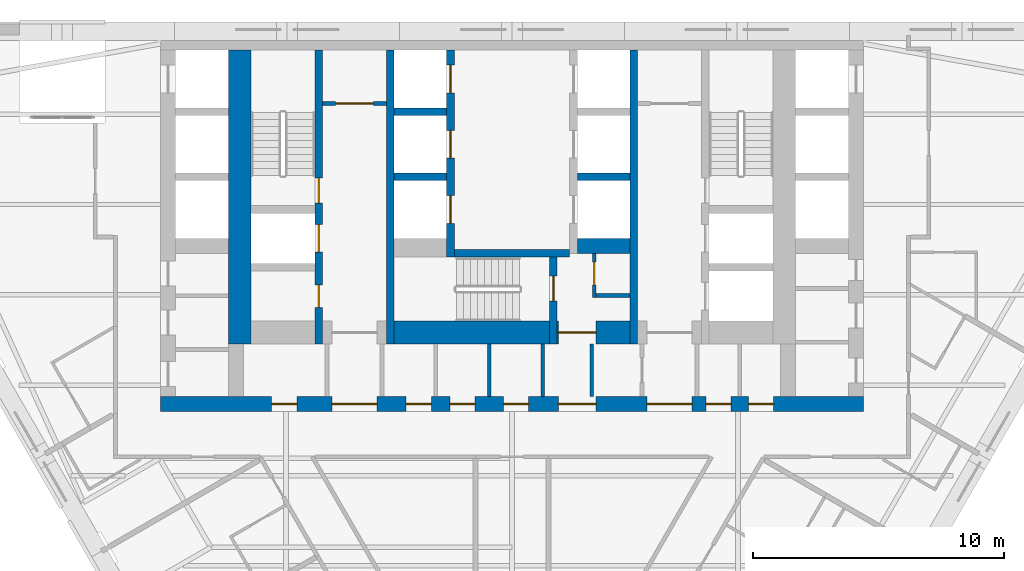
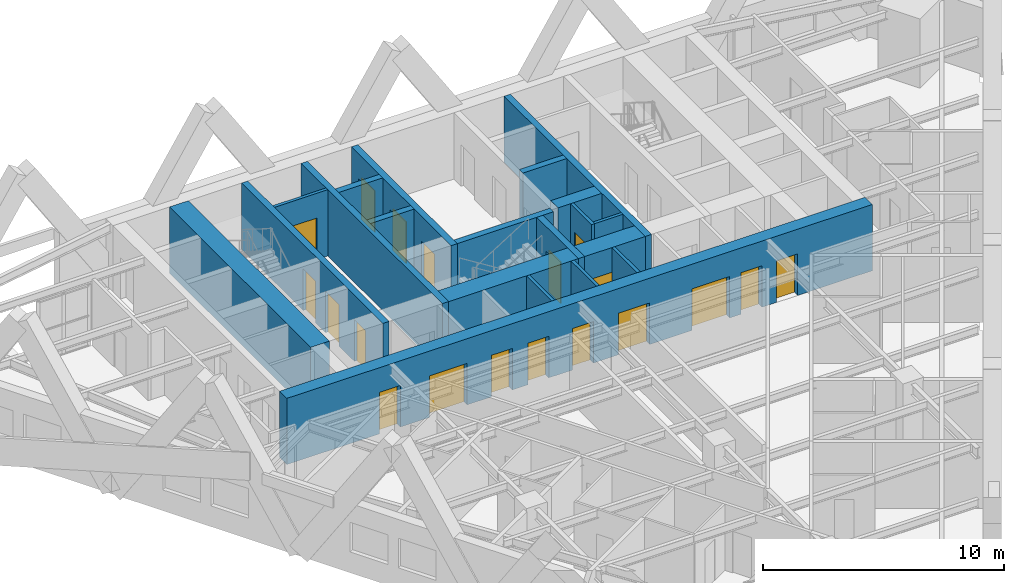
# One storey, part 7 of 11: 20 walls, 19 doors, 19 openings.
"""IFC4 building model written with IfcOpenShell, lengths in metres."""

from ifc_helpers import new_model, si_unit, direction, frame, frame_2d, origin, place, context, subcontext, project, spatial, rectangle, extrude, material, layer, layer_set, type_object, element, fill, save


model = new_model("IFC4")

# Units and contexts
model_context = context("Model", 3, precision=1e-05, world=origin(), true_north=direction((0.0, 1.0)))
body_context = subcontext(model_context, "Body", "Model", "MODEL_VIEW")
ifc_project = project(units=[si_unit("LENGTHUNIT", "METRE"), si_unit("AREAUNIT", "SQUARE_METRE"), si_unit("VOLUMEUNIT", "CUBIC_METRE"), si_unit("PLANEANGLEUNIT", "RADIAN"), si_unit("MASSUNIT", "GRAM", prefix="KILO")], contexts=[model_context])

# Site, building, storey
site_placement = place(None, origin())
site = spatial("IfcSite", under=ifc_project, at=site_placement, CompositionType="ELEMENT")
building_placement = place(site_placement, origin())
building = spatial("IfcBuilding", under=site, at=building_placement, Name="Aloe Facet Convention Tower", CompositionType="ELEMENT")
storey_placement = place(building_placement, frame((0.0, 0.0, 49.0)))
storey = spatial("IfcBuildingStorey", under=building, at=storey_placement, Name="L10", CompositionType="ELEMENT", Elevation=49.0)

# Wall, opening, door
ifc_material_1 = material(Name="Concrete blockwork partition", Category="masonry")
ifc_layer_1 = layer(ifc_material_1, 0.14990234375)
ifc_layer_set_1 = layer_set([ifc_layer_1], Name="CR-W-PART150")
wall_type_1 = type_object("IfcWallType", Name="CR-W-PART150", PredefinedType="PARTITIONING", material=ifc_layer_set_1)
wall_1_placement = place(storey_placement, frame((72.449951171875, 131.824951171875, 0.0), z_axis=(0.0, 0.0, 1.0), x_axis=(1.0, 0.0, 0.0)))
wall_1 = element("IfcWall", 1, at=wall_1_placement, inside=storey, type_object=wall_type_1, Name="Core partition L10-015", PredefinedType="PARTITIONING", context=body_context, shape_type="SweptSolid", body=[
    extrude(rectangle(XDim=2.550048828125, YDim=0.14990234375, at=frame_2d((1.27490234375, 0.0))), origin(), (0.0, 0.0, 1.0), 3.35009765625),
])
opening_1_placement = place(wall_1_placement, frame((0.52490234375, 0.0, 0.0)))
opening_1 = element("IfcOpeningElement", 2, at=opening_1_placement, cuts=wall_1, Name="Opening L10-CD22", PredefinedType="OPENING", context=body_context, shape_type="SweptSolid", body=[
    extrude(rectangle(XDim=1.5, YDim=2.10009765625, at=frame_2d((0.75, 1.050048828125))), frame((0.0, 0.0849609375, 0.0), z_axis=(0.0, -1.0, 0.0), x_axis=(1.0, 0.0, 0.0)), (0.0, 0.0, 1.0), 0.169921875),
])
ifc_material_2 = material(Name="Steel fire-resisting door set FD60", Category="steel")
door_type_1 = type_object("IfcDoorType", Name="CR-D-REFUGE-1500-FD60-DD", OperationType="DOUBLE_DOOR_DOUBLE_SWING", PredefinedType="DOOR", material=ifc_material_2)
door_1_placement = place(opening_1_placement, origin())
door_1 = element("IfcDoor", 3, at=door_1_placement, inside=storey, type_object=door_type_1, Name="Core door L10-CD22", OperationType="DOUBLE_DOOR_DOUBLE_SWING", OverallHeight=2.10009765625, OverallWidth=1.5, PredefinedType="DOOR", context=body_context, shape_type="SweptSolid", body=[
    extrude(rectangle(XDim=1.5, YDim=2.10009765625, at=frame_2d((0.75, 1.050048828125))), frame((0.0, 0.02490234375, 0.0), z_axis=(0.0, -1.0, 0.0), x_axis=(1.0, 0.0, 0.0)), (0.0, 0.0, 1.0), 0.050048828125),
])
fill(opening_1, door_1)

# Walls
for number, where, z_axis, x_axis, name in (
    (4, (79.091552734375, 122.25, 0.0), (0.0, 0.0, 1.0), (0.0, -1.0, 0.0), "Core partition L10-027"),
    (5, (81.22509765625, 122.25, 0.0), (0.0, 0.0, 1.0), (0.0, -1.0, 0.0), "Core partition L10-028"),
    (6, (83.175048828125, 122.25, 0.0), (0.0, 0.0, 1.0), (0.0, -1.0, 0.0), "Core partition L10-035"),
):
    element("IfcWall", number, at=place(storey_placement, frame(where, z_axis=z_axis, x_axis=x_axis)), inside=storey, type_object=wall_type_1, Name=name, PredefinedType="PARTITIONING", context=body_context, shape_type="SweptSolid", body=[
        extrude(rectangle(XDim=2.10009765625, YDim=0.14990234375, at=frame_2d((1.050048828125, 0.0))), origin(), (0.0, 0.0, 1.0), 3.35009765625),
    ])

# Wall, opening, door
wall_2_placement = place(storey_placement, frame((83.27490234375, 125.85009765625, 0.0), z_axis=(0.0, 0.0, 1.0), x_axis=(0.0, -1.0, 0.0)))
wall_2 = element("IfcWall", 7, at=wall_2_placement, inside=storey, type_object=wall_type_1, Name="Core partition L10-036", PredefinedType="PARTITIONING", context=body_context, shape_type="SweptSolid", body=[
    extrude(rectangle(XDim=1.75, YDim=0.14990234375, at=frame_2d((0.875, 0.0))), origin(), (0.0, 0.0, 1.0), 3.35009765625),
])
opening_2_placement = place(wall_2_placement, frame((0.35009765625, 0.0, 0.0)))
opening_2 = element("IfcOpeningElement", 8, at=opening_2_placement, cuts=wall_2, Name="Opening L10-CD20", PredefinedType="OPENING", context=body_context, shape_type="SweptSolid", body=[
    extrude(rectangle(XDim=0.89990234375, YDim=2.10009765625, at=frame_2d((0.449951171875, 1.050048828125))), frame((0.0, 0.0849609375, 0.0), z_axis=(0.0, -1.0, 0.0), x_axis=(1.0, 0.0, 0.0)), (0.0, 0.0, 1.0), 0.169921875),
])
ifc_material_3 = material(Name="Steel fire-resisting door set FD60", Category="steel")
door_type_2 = type_object("IfcDoorType", Name="CR-D-REFUGE-900-FD60-SRIGHT", OperationType="SINGLE_SWING_RIGHT", PredefinedType="DOOR", material=ifc_material_3)
door_2_placement = place(opening_2_placement, origin())
door_2 = element("IfcDoor", 9, at=door_2_placement, inside=storey, type_object=door_type_2, Name="Core door L10-CD20", OperationType="SINGLE_SWING_RIGHT", OverallHeight=2.10009765625, OverallWidth=0.89990234375, PredefinedType="DOOR", context=body_context, shape_type="SweptSolid", body=[
    extrude(rectangle(XDim=0.89990234375, YDim=2.10009765625, at=frame_2d((0.449951171875, 1.050048828125))), frame((0.0, 0.02490234375, 0.0), z_axis=(0.0, -1.0, 0.0), x_axis=(1.0, 0.0, 0.0)), (0.0, 0.0, 1.0), 0.050048828125),
])
fill(opening_2, door_2)

# Wall
wall_3_placement = place(storey_placement, frame((83.35009765625, 124.175048828125, 0.0), z_axis=(0.0, 0.0, 1.0), x_axis=(1.0, 0.0, 0.0)))
element("IfcWall", 10, at=wall_3_placement, inside=storey, type_object=wall_type_1, Name="Core partition L10-037", PredefinedType="PARTITIONING", context=body_context, shape_type="SweptSolid", body=[
    extrude(rectangle(XDim=1.349853515625, YDim=0.14990234375, at=frame_2d((0.6748046875, 0.0))), origin(), (0.0, 0.0, 1.0), 3.35009765625),
])

# Wall, openings, doors
ifc_material_4 = material(Name="Concrete C80/95", Category="concrete")
ifc_layer_2 = layer(ifc_material_4, 0.300048828125)
ifc_layer_set_2 = layer_set([ifc_layer_2], Name="CR-W-RC300-C8095")
wall_type_2 = type_object("IfcWallType", Name="CR-W-RC300-C8095", PredefinedType="SOLIDWALL", material=ifc_layer_set_2)
wall_4_placement = place(storey_placement, frame((72.300048828125, 133.949951171875, 0.0), z_axis=(0.0, 0.0, 1.0), x_axis=(0.0, -1.0, 0.0)))
wall_4 = element("IfcWall", 11, at=wall_4_placement, inside=storey, type_object=wall_type_2, Name="Core wall L10-014", PredefinedType="SOLIDWALL", context=body_context, shape_type="SweptSolid", body=[
    extrude(rectangle(XDim=11.699951171875, YDim=0.300048828125, at=frame_2d((5.85009765625, 0.0))), origin(), (0.0, 0.0, 1.0), 3.35009765625),
])
opening_3_placement = place(wall_4_placement, frame((6.949951171875, 0.0, 0.0)))
opening_3 = element("IfcOpeningElement", 12, at=opening_3_placement, cuts=wall_4, Name="Opening LD-FF1-L10", PredefinedType="OPENING", context=body_context, shape_type="SweptSolid", body=[
    extrude(rectangle(XDim=1.10009765625, YDim=2.10009765625, at=frame_2d((0.550048828125, 1.050048828125))), frame((0.0, 0.16015625, 0.0), z_axis=(0.0, -1.0, 0.0), x_axis=(1.0, 0.0, 0.0)), (0.0, 0.0, 1.0), 0.320068359375),
])
opening_4_placement = place(wall_4_placement, frame((9.35009765625, 0.0, 0.0)))
opening_4 = element("IfcOpeningElement", 13, at=opening_4_placement, cuts=wall_4, Name="Opening L10-CD23", PredefinedType="OPENING", context=body_context, shape_type="SweptSolid", body=[
    extrude(rectangle(XDim=0.89990234375, YDim=2.10009765625, at=frame_2d((0.449951171875, 1.050048828125))), frame((0.0, 0.16015625, 0.0), z_axis=(0.0, -1.0, 0.0), x_axis=(1.0, 0.0, 0.0)), (0.0, 0.0, 1.0), 0.320068359375),
])
opening_5_placement = place(wall_4_placement, frame((5.10009765625, 0.0, 0.0)))
opening_5 = element("IfcOpeningElement", 14, at=opening_5_placement, cuts=wall_4, Name="Opening L10-CD31", PredefinedType="OPENING", context=body_context, shape_type="SweptSolid", body=[
    extrude(rectangle(XDim=1.0, YDim=2.10009765625, at=frame_2d((0.5, 1.050048828125))), frame((0.0, 0.16015625, 0.0), z_axis=(0.0, -1.0, 0.0), x_axis=(1.0, 0.0, 0.0)), (0.0, 0.0, 1.0), 0.320068359375),
])
ifc_material_5 = material(Name="Steel fire-resisting door set FD60", Category="steel")
door_type_3 = type_object("IfcDoorType", Name="CR-D-ROOM-900-FD60-SLEFT", OperationType="SINGLE_SWING_LEFT", PredefinedType="DOOR", material=ifc_material_5)
door_3_placement = place(opening_4_placement, origin())
door_3 = element("IfcDoor", 15, at=door_3_placement, inside=storey, type_object=door_type_3, Name="Core door L10-CD23", OperationType="SINGLE_SWING_LEFT", OverallHeight=2.10009765625, OverallWidth=0.89990234375, PredefinedType="DOOR", context=body_context, shape_type="SweptSolid", body=[
    extrude(rectangle(XDim=0.89990234375, YDim=2.10009765625, at=frame_2d((0.449951171875, 1.050048828125))), frame((0.0, 0.02490234375, 0.0), z_axis=(0.0, -1.0, 0.0), x_axis=(1.0, 0.0, 0.0)), (0.0, 0.0, 1.0), 0.050048828125),
])
fill(opening_4, door_3)
ifc_material_6 = material(Name="Steel fire-resisting door set FD120", Category="steel")
door_type_4 = type_object("IfcDoorType", Name="CR-D-STAIR-1000-FD120-SRIGHT", OperationType="SINGLE_SWING_RIGHT", PredefinedType="DOOR", material=ifc_material_6)
door_4_placement = place(opening_5_placement, origin())
door_4 = element("IfcDoor", 16, at=door_4_placement, inside=storey, type_object=door_type_4, Name="Core door L10-CD31", OperationType="SINGLE_SWING_RIGHT", OverallHeight=2.10009765625, OverallWidth=1.0, PredefinedType="DOOR", context=body_context, shape_type="SweptSolid", body=[
    extrude(rectangle(XDim=1.0, YDim=2.10009765625, at=frame_2d((0.5, 1.050048828125))), frame((0.0, 0.02490234375, 0.0), z_axis=(0.0, -1.0, 0.0), x_axis=(1.0, 0.0, 0.0)), (0.0, 0.0, 1.0), 0.050048828125),
])
fill(opening_5, door_4)
ifc_material_7 = material(Name="Stainless steel sliding landing door", Category="steel")
door_type_5 = type_object("IfcDoorType", Name="CR-LD-1100-FD120-_LEFT", OperationType="SLIDING_TO_LEFT", PredefinedType="DOOR", material=ifc_material_7)
door_5_placement = place(opening_3_placement, origin())
door_5 = element("IfcDoor", 17, at=door_5_placement, inside=storey, type_object=door_type_5, Name="Landing door FF1 L10", OperationType="SLIDING_TO_LEFT", OverallHeight=2.10009765625, OverallWidth=1.10009765625, PredefinedType="DOOR", context=body_context, shape_type="SweptSolid", body=[
    extrude(rectangle(XDim=1.10009765625, YDim=2.10009765625, at=frame_2d((0.550048828125, 1.050048828125))), frame((0.0, 0.02490234375, 0.0), z_axis=(0.0, -1.0, 0.0), x_axis=(1.0, 0.0, 0.0)), (0.0, 0.0, 1.0), 0.050048828125),
])
fill(opening_3, door_5)

# Walls
wall_5_placement = place(storey_placement, frame((75.14990234375, 133.949951171875, 0.0), z_axis=(0.0, 0.0, 1.0), x_axis=(0.0, -1.0, 0.0)))
element("IfcWall", 18, at=wall_5_placement, inside=storey, type_object=wall_type_2, Name="Core wall L10-019", PredefinedType="SOLIDWALL", context=body_context, shape_type="SweptSolid", body=[
    extrude(rectangle(XDim=11.699951171875, YDim=0.300048828125, at=frame_2d((5.85009765625, 0.0))), origin(), (0.0, 0.0, 1.0), 3.35009765625),
])
for number, where, z_axis, x_axis, name in (
    (19, (75.300048828125, 131.5, 0.0), (0.0, 0.0, 1.0), (1.0, 0.0, 0.0), "Core wall L10-020"),
    (20, (75.300048828125, 128.89990234375, 0.0), (0.0, 0.0, 1.0), (1.0, 0.0, 0.0), "Core wall L10-021"),
):
    element("IfcWall", number, at=place(storey_placement, frame(where, z_axis=z_axis, x_axis=x_axis)), inside=storey, type_object=wall_type_2, Name=name, PredefinedType="SOLIDWALL", context=body_context, shape_type="SweptSolid", body=[
        extrude(rectangle(XDim=2.099853515625, YDim=0.300048828125, at=frame_2d((1.0498046875, 0.0))), origin(), (0.0, 0.0, 1.0), 3.35009765625),
    ])

# Wall, openings, doors
wall_6_placement = place(storey_placement, frame((77.550048828125, 133.949951171875, 0.0), z_axis=(0.0, 0.0, 1.0), x_axis=(0.0, -1.0, 0.0)))
wall_6 = element("IfcWall", 21, at=wall_6_placement, inside=storey, type_object=wall_type_2, Name="Core wall L10-025", PredefinedType="SOLIDWALL", context=body_context, shape_type="SweptSolid", body=[
    extrude(rectangle(XDim=8.25, YDim=0.300048828125, at=frame_2d((4.125, 0.0))), origin(), (0.0, 0.0, 1.0), 3.35009765625),
])
opening_6_placement = place(wall_6_placement, frame((0.60009765625, 0.0, 0.0)))
opening_6 = element("IfcOpeningElement", 22, at=opening_6_placement, cuts=wall_6, Name="Opening LD-A1-L10", PredefinedType="OPENING", context=body_context, shape_type="SweptSolid", body=[
    extrude(rectangle(XDim=1.10009765625, YDim=2.10009765625, at=frame_2d((0.550048828125, 1.050048828125))), frame((0.0, 0.16015625, 0.0), z_axis=(0.0, -1.0, 0.0), x_axis=(1.0, 0.0, 0.0)), (0.0, 0.0, 1.0), 0.320068359375),
])
opening_7_placement = place(wall_6_placement, frame((3.199951171875, 0.0, 0.0)))
opening_7 = element("IfcOpeningElement", 23, at=opening_7_placement, cuts=wall_6, Name="Opening LD-A2-L10", PredefinedType="OPENING", context=body_context, shape_type="SweptSolid", body=[
    extrude(rectangle(XDim=1.10009765625, YDim=2.10009765625, at=frame_2d((0.550048828125, 1.050048828125))), frame((0.0, 0.16015625, 0.0), z_axis=(0.0, -1.0, 0.0), x_axis=(1.0, 0.0, 0.0)), (0.0, 0.0, 1.0), 0.320068359375),
])
opening_8_placement = place(wall_6_placement, frame((5.800048828125, 0.0, 0.0)))
opening_8 = element("IfcOpeningElement", 24, at=opening_8_placement, cuts=wall_6, Name="Opening LD-A3-L10", PredefinedType="OPENING", context=body_context, shape_type="SweptSolid", body=[
    extrude(rectangle(XDim=1.10009765625, YDim=2.10009765625, at=frame_2d((0.550048828125, 1.050048828125))), frame((0.0, 0.16015625, 0.0), z_axis=(0.0, -1.0, 0.0), x_axis=(1.0, 0.0, 0.0)), (0.0, 0.0, 1.0), 0.320068359375),
])
ifc_material_8 = material(Name="Stainless steel sliding landing door", Category="steel")
door_type_6 = type_object("IfcDoorType", Name="CR-LD-1100-FD60-RIGHT", OperationType="SLIDING_TO_RIGHT", PredefinedType="DOOR", material=ifc_material_8)
door_6_placement = place(opening_6_placement, origin())
door_6 = element("IfcDoor", 25, at=door_6_placement, inside=storey, type_object=door_type_6, Name="Landing door A1 L10", OperationType="SLIDING_TO_RIGHT", OverallHeight=2.10009765625, OverallWidth=1.10009765625, PredefinedType="DOOR", context=body_context, shape_type="SweptSolid", body=[
    extrude(rectangle(XDim=1.10009765625, YDim=2.10009765625, at=frame_2d((0.550048828125, 1.050048828125))), frame((0.0, 0.02490234375, 0.0), z_axis=(0.0, -1.0, 0.0), x_axis=(1.0, 0.0, 0.0)), (0.0, 0.0, 1.0), 0.050048828125),
])
fill(opening_6, door_6)
door_7_placement = place(opening_7_placement, origin())
door_7 = element("IfcDoor", 26, at=door_7_placement, inside=storey, type_object=door_type_6, Name="Landing door A2 L10", OperationType="SLIDING_TO_RIGHT", OverallHeight=2.10009765625, OverallWidth=1.10009765625, PredefinedType="DOOR", context=body_context, shape_type="SweptSolid", body=[
    extrude(rectangle(XDim=1.10009765625, YDim=2.10009765625, at=frame_2d((0.550048828125, 1.050048828125))), frame((0.0, 0.02490234375, 0.0), z_axis=(0.0, -1.0, 0.0), x_axis=(1.0, 0.0, 0.0)), (0.0, 0.0, 1.0), 0.050048828125),
])
fill(opening_7, door_7)
door_8_placement = place(opening_8_placement, origin())
door_8 = element("IfcDoor", 27, at=door_8_placement, inside=storey, type_object=door_type_6, Name="Landing door A3 L10", OperationType="SLIDING_TO_RIGHT", OverallHeight=2.10009765625, OverallWidth=1.10009765625, PredefinedType="DOOR", context=body_context, shape_type="SweptSolid", body=[
    extrude(rectangle(XDim=1.10009765625, YDim=2.10009765625, at=frame_2d((0.550048828125, 1.050048828125))), frame((0.0, 0.02490234375, 0.0), z_axis=(0.0, -1.0, 0.0), x_axis=(1.0, 0.0, 0.0)), (0.0, 0.0, 1.0), 0.050048828125),
])
fill(opening_8, door_8)

# Wall
wall_7_placement = place(storey_placement, frame((77.699951171875, 125.85009765625, 0.0), z_axis=(0.0, 0.0, 1.0), x_axis=(1.0, 0.0, 0.0)))
element("IfcWall", 28, at=wall_7_placement, inside=storey, type_object=wall_type_2, Name="Core wall L10-026", PredefinedType="SOLIDWALL", context=body_context, shape_type="SweptSolid", body=[
    extrude(rectangle(XDim=4.60009765625, YDim=0.300048828125, at=frame_2d((2.300048828125, 0.0))), origin(), (0.0, 0.0, 1.0), 3.35009765625),
])

# Wall, opening, door
wall_8_placement = place(storey_placement, frame((81.64990234375, 125.699951171875, 0.0), z_axis=(0.0, 0.0, 1.0), x_axis=(0.0, -1.0, 0.0)))
wall_8 = element("IfcWall", 29, at=wall_8_placement, inside=storey, type_object=wall_type_2, Name="Core wall L10-029", PredefinedType="SOLIDWALL", context=body_context, shape_type="SweptSolid", body=[
    extrude(rectangle(XDim=3.449951171875, YDim=0.300048828125, at=frame_2d((1.72509765625, 0.0))), origin(), (0.0, 0.0, 1.0), 3.35009765625),
])
opening_9_placement = place(wall_8_placement, frame((0.75, 0.0, 0.0)))
opening_9 = element("IfcOpeningElement", 30, at=opening_9_placement, cuts=wall_8, Name="Opening L10-CD33", PredefinedType="OPENING", context=body_context, shape_type="SweptSolid", body=[
    extrude(rectangle(XDim=1.0, YDim=2.10009765625, at=frame_2d((0.5, 1.050048828125))), frame((0.0, 0.16015625, 0.0), z_axis=(0.0, -1.0, 0.0), x_axis=(1.0, 0.0, 0.0)), (0.0, 0.0, 1.0), 0.320068359375),
])
ifc_material_9 = material(Name="Steel fire-resisting door set FD120", Category="steel")
door_type_7 = type_object("IfcDoorType", Name="CR-D-STAIR-1000-FD120-SLEFT", OperationType="SINGLE_SWING_LEFT", PredefinedType="DOOR", material=ifc_material_9)
door_9_placement = place(opening_9_placement, origin())
door_9 = element("IfcDoor", 31, at=door_9_placement, inside=storey, type_object=door_type_7, Name="Core door L10-CD33", OperationType="SINGLE_SWING_LEFT", OverallHeight=2.10009765625, OverallWidth=1.0, PredefinedType="DOOR", context=body_context, shape_type="SweptSolid", body=[
    extrude(rectangle(XDim=1.0, YDim=2.10009765625, at=frame_2d((0.5, 1.050048828125))), frame((0.0, 0.02490234375, 0.0), z_axis=(0.0, -1.0, 0.0), x_axis=(1.0, 0.0, 0.0)), (0.0, 0.0, 1.0), 0.050048828125),
])
fill(opening_9, door_9)

# Walls
wall_9_placement = place(storey_placement, frame((82.60009765625, 128.89990234375, 0.0), z_axis=(0.0, 0.0, 1.0), x_axis=(1.0, 0.0, 0.0)))
element("IfcWall", 32, at=wall_9_placement, inside=storey, type_object=wall_type_2, Name="Core wall L10-033", PredefinedType="SOLIDWALL", context=body_context, shape_type="SweptSolid", body=[
    extrude(rectangle(XDim=2.099853515625, YDim=0.300048828125, at=frame_2d((1.0498046875, 0.0))), origin(), (0.0, 0.0, 1.0), 3.35009765625),
])
wall_10_placement = place(storey_placement, frame((84.85009765625, 133.949951171875, 0.0), z_axis=(0.0, 0.0, 1.0), x_axis=(0.0, -1.0, 0.0)))
element("IfcWall", 33, at=wall_10_placement, inside=storey, type_object=wall_type_2, Name="Core wall L10-038", PredefinedType="SOLIDWALL", context=body_context, shape_type="SweptSolid", body=[
    extrude(rectangle(XDim=11.699951171875, YDim=0.300048828125, at=frame_2d((5.85009765625, 0.0))), origin(), (0.0, 0.0, 1.0), 3.35009765625),
])

# Wall, openings, doors
ifc_material_10 = material(Name="Concrete C80/95", Category="concrete")
ifc_layer_3 = layer(ifc_material_10, 0.60009765625)
ifc_layer_set_3 = layer_set([ifc_layer_3], Name="CR-W-RC600-C8095")
wall_type_3 = type_object("IfcWallType", Name="CR-W-RC600-C8095", PredefinedType="SOLIDWALL", material=ifc_layer_set_3)
wall_11_placement = place(storey_placement, frame((66.0, 119.85009765625, 0.0), z_axis=(0.0, 0.0, 1.0), x_axis=(1.0, 0.0, 0.0)))
wall_11 = element("IfcWall", 34, at=wall_11_placement, inside=storey, type_object=wall_type_3, Name="Core wall L10-003", PredefinedType="SOLIDWALL", context=body_context, shape_type="SweptSolid", body=[
    extrude(rectangle(XDim=28.0, YDim=0.60009765625, at=frame_2d((14.0, 0.0))), origin(), (0.0, 0.0, 1.0), 3.35009765625),
])
opening_10_placement = place(wall_11_placement, frame((6.824951171875, 0.0, 0.0)))
opening_10 = element("IfcOpeningElement", 35, at=opening_10_placement, cuts=wall_11, Name="Opening L10-CD17", PredefinedType="OPENING", context=body_context, shape_type="SweptSolid", body=[
    extrude(rectangle(XDim=1.800048828125, YDim=2.10009765625, at=frame_2d((0.89990234375, 1.050048828125))), frame((0.0, 0.31005859375, 0.0), z_axis=(0.0, -1.0, 0.0), x_axis=(1.0, 0.0, 0.0)), (0.0, 0.0, 1.0), 0.6201171875),
])
opening_11_placement = place(wall_11_placement, frame((15.85009765625, 0.0, 0.0)))
opening_11 = element("IfcOpeningElement", 36, at=opening_11_placement, cuts=wall_11, Name="Opening L10-CD18", PredefinedType="OPENING", context=body_context, shape_type="SweptSolid", body=[
    extrude(rectangle(XDim=1.5, YDim=2.10009765625, at=frame_2d((0.75, 1.050048828125))), frame((0.0, 0.31005859375, 0.0), z_axis=(0.0, -1.0, 0.0), x_axis=(1.0, 0.0, 0.0)), (0.0, 0.0, 1.0), 0.6201171875),
])
opening_12_placement = place(wall_11_placement, frame((19.375, 0.0, 0.0)))
opening_12 = element("IfcOpeningElement", 37, at=opening_12_placement, cuts=wall_11, Name="Opening L10-CD19", PredefinedType="OPENING", context=body_context, shape_type="SweptSolid", body=[
    extrude(rectangle(XDim=1.800048828125, YDim=2.10009765625, at=frame_2d((0.89990234375, 1.050048828125))), frame((0.0, 0.31005859375, 0.0), z_axis=(0.0, -1.0, 0.0), x_axis=(1.0, 0.0, 0.0)), (0.0, 0.0, 1.0), 0.6201171875),
])
opening_13_placement = place(wall_11_placement, frame((4.425048828125, 0.0, 0.0)))
opening_13 = element("IfcOpeningElement", 38, at=opening_13_placement, cuts=wall_11, Name="Opening L10-CD24", PredefinedType="OPENING", context=body_context, shape_type="SweptSolid", body=[
    extrude(rectangle(XDim=1.0, YDim=2.10009765625, at=frame_2d((0.5, 1.050048828125))), frame((0.0, 0.31005859375, 0.0), z_axis=(0.0, -1.0, 0.0), x_axis=(1.0, 0.0, 0.0)), (0.0, 0.0, 1.0), 0.6201171875),
])
opening_14_placement = place(wall_11_placement, frame((9.783203125, 0.0, 0.0)))
opening_14 = element("IfcOpeningElement", 39, at=opening_14_placement, cuts=wall_11, Name="Opening L10-CD25", PredefinedType="OPENING", context=body_context, shape_type="SweptSolid", body=[
    extrude(rectangle(XDim=1.0, YDim=2.10009765625, at=frame_2d((0.5, 1.050048828125))), frame((0.0, 0.31005859375, 0.0), z_axis=(0.0, -1.0, 0.0), x_axis=(1.0, 0.0, 0.0)), (0.0, 0.0, 1.0), 0.6201171875),
])
opening_15_placement = place(wall_11_placement, frame((11.52490234375, 0.0, 0.0)))
opening_15 = element("IfcOpeningElement", 40, at=opening_15_placement, cuts=wall_11, Name="Opening L10-CD26", PredefinedType="OPENING", context=body_context, shape_type="SweptSolid", body=[
    extrude(rectangle(XDim=1.0, YDim=2.10009765625, at=frame_2d((0.5, 1.050048828125))), frame((0.0, 0.31005859375, 0.0), z_axis=(0.0, -1.0, 0.0), x_axis=(1.0, 0.0, 0.0)), (0.0, 0.0, 1.0), 0.6201171875),
])
opening_16_placement = place(wall_11_placement, frame((13.658203125, 0.0, 0.0)))
opening_16 = element("IfcOpeningElement", 41, at=opening_16_placement, cuts=wall_11, Name="Opening L10-CD27", PredefinedType="OPENING", context=body_context, shape_type="SweptSolid", body=[
    extrude(rectangle(XDim=1.0, YDim=2.10009765625, at=frame_2d((0.5, 1.050048828125))), frame((0.0, 0.31005859375, 0.0), z_axis=(0.0, -1.0, 0.0), x_axis=(1.0, 0.0, 0.0)), (0.0, 0.0, 1.0), 0.6201171875),
])
opening_17_placement = place(wall_11_placement, frame((21.72509765625, 0.0, 0.0)))
opening_17 = element("IfcOpeningElement", 42, at=opening_17_placement, cuts=wall_11, Name="Opening L10-CD29", PredefinedType="OPENING", context=body_context, shape_type="SweptSolid", body=[
    extrude(rectangle(XDim=1.0, YDim=2.10009765625, at=frame_2d((0.5, 1.050048828125))), frame((0.0, 0.31005859375, 0.0), z_axis=(0.0, -1.0, 0.0), x_axis=(1.0, 0.0, 0.0)), (0.0, 0.0, 1.0), 0.6201171875),
])
opening_18_placement = place(wall_11_placement, frame((23.425048828125, 0.0, 0.0)))
opening_18 = element("IfcOpeningElement", 43, at=opening_18_placement, cuts=wall_11, Name="Opening L10-CD30", PredefinedType="OPENING", context=body_context, shape_type="SweptSolid", body=[
    extrude(rectangle(XDim=1.0, YDim=2.10009765625, at=frame_2d((0.5, 1.050048828125))), frame((0.0, 0.31005859375, 0.0), z_axis=(0.0, -1.0, 0.0), x_axis=(1.0, 0.0, 0.0)), (0.0, 0.0, 1.0), 0.6201171875),
])
ifc_material_11 = material(Name="Steel fire-resisting door set FD60", Category="steel")
door_type_8 = type_object("IfcDoorType", Name="CR-D-EXIT-1500-FD60-DD", OperationType="DOUBLE_DOOR_DOUBLE_SWING", PredefinedType="DOOR", material=ifc_material_11)
door_10_placement = place(opening_11_placement, origin())
door_10 = element("IfcDoor", 44, at=door_10_placement, inside=storey, type_object=door_type_8, Name="Core door L10-CD18", OperationType="DOUBLE_DOOR_DOUBLE_SWING", OverallHeight=2.10009765625, OverallWidth=1.5, PredefinedType="DOOR", context=body_context, shape_type="SweptSolid", body=[
    extrude(rectangle(XDim=1.5, YDim=2.10009765625, at=frame_2d((0.75, 1.050048828125))), frame((0.0, 0.02490234375, 0.0), z_axis=(0.0, -1.0, 0.0), x_axis=(1.0, 0.0, 0.0)), (0.0, 0.0, 1.0), 0.050048828125),
])
fill(opening_11, door_10)
ifc_material_12 = material(Name="Steel fire-resisting door set FD60", Category="steel")
door_type_9 = type_object("IfcDoorType", Name="CR-D-EXIT-1800-FD60-DD", OperationType="DOUBLE_DOOR_DOUBLE_SWING", PredefinedType="DOOR", material=ifc_material_12)
door_11_placement = place(opening_10_placement, origin())
door_11 = element("IfcDoor", 45, at=door_11_placement, inside=storey, type_object=door_type_9, Name="Core door L10-CD17", OperationType="DOUBLE_DOOR_DOUBLE_SWING", OverallHeight=2.10009765625, OverallWidth=1.800048828125, PredefinedType="DOOR", context=body_context, shape_type="SweptSolid", body=[
    extrude(rectangle(XDim=1.800048828125, YDim=2.10009765625, at=frame_2d((0.89990234375, 1.050048828125))), frame((0.0, 0.02490234375, 0.0), z_axis=(0.0, -1.0, 0.0), x_axis=(1.0, 0.0, 0.0)), (0.0, 0.0, 1.0), 0.050048828125),
])
fill(opening_10, door_11)
door_12_placement = place(opening_12_placement, origin())
door_12 = element("IfcDoor", 46, at=door_12_placement, inside=storey, type_object=door_type_9, Name="Core door L10-CD19", OperationType="DOUBLE_DOOR_DOUBLE_SWING", OverallHeight=2.10009765625, OverallWidth=1.800048828125, PredefinedType="DOOR", context=body_context, shape_type="SweptSolid", body=[
    extrude(rectangle(XDim=1.800048828125, YDim=2.10009765625, at=frame_2d((0.89990234375, 1.050048828125))), frame((0.0, 0.02490234375, 0.0), z_axis=(0.0, -1.0, 0.0), x_axis=(1.0, 0.0, 0.0)), (0.0, 0.0, 1.0), 0.050048828125),
])
fill(opening_12, door_12)
ifc_material_13 = material(Name="Steel fire-resisting door set FD60", Category="steel")
door_type_10 = type_object("IfcDoorType", Name="CR-D-ROOM-1000-FD60-SRIGHT", OperationType="SINGLE_SWING_RIGHT", PredefinedType="DOOR", material=ifc_material_13)
door_13_placement = place(opening_13_placement, origin())
door_13 = element("IfcDoor", 47, at=door_13_placement, inside=storey, type_object=door_type_10, Name="Core door L10-CD24", OperationType="SINGLE_SWING_RIGHT", OverallHeight=2.10009765625, OverallWidth=1.0, PredefinedType="DOOR", context=body_context, shape_type="SweptSolid", body=[
    extrude(rectangle(XDim=1.0, YDim=2.10009765625, at=frame_2d((0.5, 1.050048828125))), frame((0.0, 0.02490234375, 0.0), z_axis=(0.0, -1.0, 0.0), x_axis=(1.0, 0.0, 0.0)), (0.0, 0.0, 1.0), 0.050048828125),
])
fill(opening_13, door_13)
door_14_placement = place(opening_14_placement, origin())
door_14 = element("IfcDoor", 48, at=door_14_placement, inside=storey, type_object=door_type_10, Name="Core door L10-CD25", OperationType="SINGLE_SWING_RIGHT", OverallHeight=2.10009765625, OverallWidth=1.0, PredefinedType="DOOR", context=body_context, shape_type="SweptSolid", body=[
    extrude(rectangle(XDim=1.0, YDim=2.10009765625, at=frame_2d((0.5, 1.050048828125))), frame((0.0, 0.02490234375, 0.0), z_axis=(0.0, -1.0, 0.0), x_axis=(1.0, 0.0, 0.0)), (0.0, 0.0, 1.0), 0.050048828125),
])
fill(opening_14, door_14)
door_15_placement = place(opening_15_placement, origin())
door_15 = element("IfcDoor", 49, at=door_15_placement, inside=storey, type_object=door_type_10, Name="Core door L10-CD26", OperationType="SINGLE_SWING_RIGHT", OverallHeight=2.10009765625, OverallWidth=1.0, PredefinedType="DOOR", context=body_context, shape_type="SweptSolid", body=[
    extrude(rectangle(XDim=1.0, YDim=2.10009765625, at=frame_2d((0.5, 1.050048828125))), frame((0.0, 0.02490234375, 0.0), z_axis=(0.0, -1.0, 0.0), x_axis=(1.0, 0.0, 0.0)), (0.0, 0.0, 1.0), 0.050048828125),
])
fill(opening_15, door_15)
door_16_placement = place(opening_16_placement, origin())
door_16 = element("IfcDoor", 50, at=door_16_placement, inside=storey, type_object=door_type_10, Name="Core door L10-CD27", OperationType="SINGLE_SWING_RIGHT", OverallHeight=2.10009765625, OverallWidth=1.0, PredefinedType="DOOR", context=body_context, shape_type="SweptSolid", body=[
    extrude(rectangle(XDim=1.0, YDim=2.10009765625, at=frame_2d((0.5, 1.050048828125))), frame((0.0, 0.02490234375, 0.0), z_axis=(0.0, -1.0, 0.0), x_axis=(1.0, 0.0, 0.0)), (0.0, 0.0, 1.0), 0.050048828125),
])
fill(opening_16, door_16)
door_17_placement = place(opening_17_placement, origin())
door_17 = element("IfcDoor", 51, at=door_17_placement, inside=storey, type_object=door_type_10, Name="Core door L10-CD29", OperationType="SINGLE_SWING_RIGHT", OverallHeight=2.10009765625, OverallWidth=1.0, PredefinedType="DOOR", context=body_context, shape_type="SweptSolid", body=[
    extrude(rectangle(XDim=1.0, YDim=2.10009765625, at=frame_2d((0.5, 1.050048828125))), frame((0.0, 0.02490234375, 0.0), z_axis=(0.0, -1.0, 0.0), x_axis=(1.0, 0.0, 0.0)), (0.0, 0.0, 1.0), 0.050048828125),
])
fill(opening_17, door_17)
door_18_placement = place(opening_18_placement, origin())
door_18 = element("IfcDoor", 52, at=door_18_placement, inside=storey, type_object=door_type_10, Name="Core door L10-CD30", OperationType="SINGLE_SWING_RIGHT", OverallHeight=2.10009765625, OverallWidth=1.0, PredefinedType="DOOR", context=body_context, shape_type="SweptSolid", body=[
    extrude(rectangle(XDim=1.0, YDim=2.10009765625, at=frame_2d((0.5, 1.050048828125))), frame((0.0, 0.02490234375, 0.0), z_axis=(0.0, -1.0, 0.0), x_axis=(1.0, 0.0, 0.0)), (0.0, 0.0, 1.0), 0.050048828125),
])
fill(opening_18, door_18)

# Walls
wall_12_placement = place(storey_placement, frame((82.60009765625, 126.14990234375, 0.0), z_axis=(0.0, 0.0, 1.0), x_axis=(1.0, 0.0, 0.0)))
element("IfcWall", 53, at=wall_12_placement, inside=storey, type_object=wall_type_3, Name="Core wall L10-034", PredefinedType="SOLIDWALL", context=body_context, shape_type="SweptSolid", body=[
    extrude(rectangle(XDim=2.099853515625, YDim=0.60009765625, at=frame_2d((1.0498046875, 0.0))), origin(), (0.0, 0.0, 1.0), 3.35009765625),
])
ifc_material_14 = material(Name="Concrete C80/95", Category="concrete")
ifc_layer_4 = layer(ifc_material_14, 0.89990234375)
ifc_layer_set_4 = layer_set([ifc_layer_4], Name="CR-W-RC900-C8095")
wall_type_4 = type_object("IfcWallType", Name="CR-W-RC900-C8095", PredefinedType="SOLIDWALL", material=ifc_layer_set_4)
wall_13_placement = place(storey_placement, frame((69.14990234375, 133.949951171875, 0.0), z_axis=(0.0, 0.0, 1.0), x_axis=(0.0, -1.0, 0.0)))
element("IfcWall", 54, at=wall_13_placement, inside=storey, type_object=wall_type_4, Name="Core wall L10-009", PredefinedType="SOLIDWALL", context=body_context, shape_type="SweptSolid", body=[
    extrude(rectangle(XDim=11.699951171875, YDim=0.89990234375, at=frame_2d((5.85009765625, 0.0))), origin(), (0.0, 0.0, 1.0), 3.35009765625),
])
wall_14_placement = place(storey_placement, frame((75.300048828125, 122.699951171875, 0.0), z_axis=(0.0, 0.0, 1.0), x_axis=(1.0, 0.0, 0.0)))
element("IfcWall", 55, at=wall_14_placement, inside=storey, type_object=wall_type_4, Name="Core wall L10-023", PredefinedType="SOLIDWALL", context=body_context, shape_type="SweptSolid", body=[
    extrude(rectangle(XDim=6.199951171875, YDim=0.89990234375, at=frame_2d((3.10009765625, 0.0))), origin(), (0.0, 0.0, 1.0), 3.35009765625),
])

# Wall, opening, door
wall_15_placement = place(storey_placement, frame((81.800048828125, 122.699951171875, 0.0), z_axis=(0.0, 0.0, 1.0), x_axis=(1.0, 0.0, 0.0)))
wall_15 = element("IfcWall", 56, at=wall_15_placement, inside=storey, type_object=wall_type_4, Name="Core wall L10-030", PredefinedType="SOLIDWALL", context=body_context, shape_type="SweptSolid", body=[
    extrude(rectangle(XDim=2.89990234375, YDim=0.89990234375, at=frame_2d((1.449951171875, 0.0))), origin(), (0.0, 0.0, 1.0), 3.35009765625),
])
opening_19_placement = place(wall_15_placement, frame((0.050048828125, 0.0, 0.0)))
opening_19 = element("IfcOpeningElement", 57, at=opening_19_placement, cuts=wall_15, Name="Opening L10-CD16", PredefinedType="OPENING", context=body_context, shape_type="SweptSolid", body=[
    extrude(rectangle(XDim=1.5, YDim=2.10009765625, at=frame_2d((0.75, 1.050048828125))), frame((0.0, 0.4599609375, 0.0), z_axis=(0.0, -1.0, 0.0), x_axis=(1.0, 0.0, 0.0)), (0.0, 0.0, 1.0), 0.919921875),
])
door_19_placement = place(opening_19_placement, origin())
door_19 = element("IfcDoor", 58, at=door_19_placement, inside=storey, type_object=door_type_8, Name="Core door L10-CD16", OperationType="DOUBLE_DOOR_DOUBLE_SWING", OverallHeight=2.10009765625, OverallWidth=1.5, PredefinedType="DOOR", context=body_context, shape_type="SweptSolid", body=[
    extrude(rectangle(XDim=1.5, YDim=2.10009765625, at=frame_2d((0.75, 1.050048828125))), frame((0.0, 0.02490234375, 0.0), z_axis=(0.0, -1.0, 0.0), x_axis=(1.0, 0.0, 0.0)), (0.0, 0.0, 1.0), 0.050048828125),
])
fill(opening_19, door_19)

save(model, "model.ifc")
